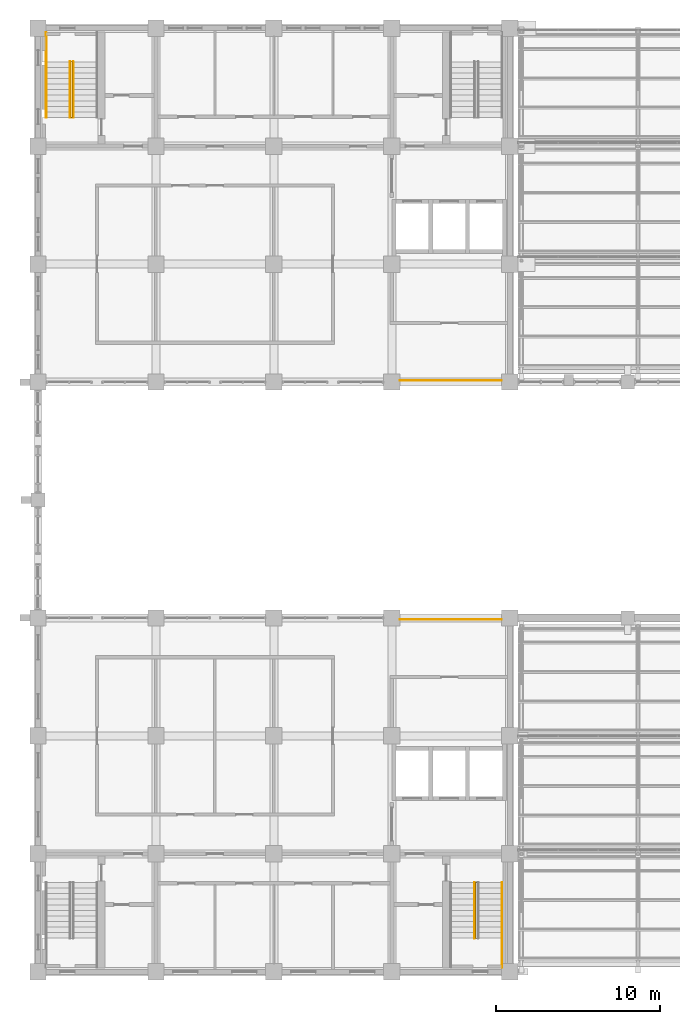
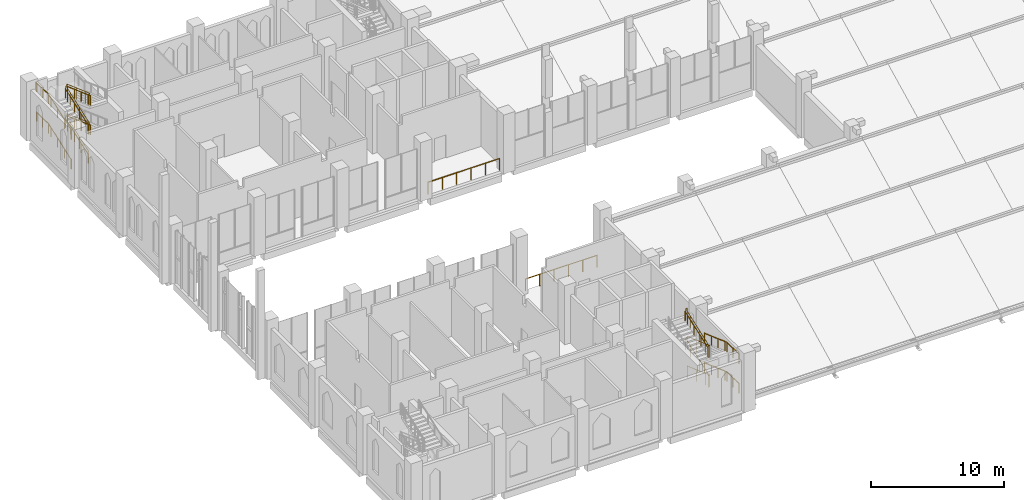
# One storey, part 80 of 83: 13 railings.
"""IFC4 building model written with IfcOpenShell, lengths in metres."""

from ifc_helpers import new_model, si_unit, direction, frame, origin, origin_2d, place, context, subcontext, project, spatial, circle, extrude, material, type_object, element, save


model = new_model("IFC4")

# Units and contexts
model_context = context("Model", 3, precision=1e-05, world=origin(), true_north=direction((0.0, 1.0)))
body_context = subcontext(model_context, "Body", "Model", "MODEL_VIEW")
ifc_project = project(units=[si_unit("LENGTHUNIT", "METRE"), si_unit("AREAUNIT", "SQUARE_METRE"), si_unit("VOLUMEUNIT", "CUBIC_METRE"), si_unit("PLANEANGLEUNIT", "RADIAN"), si_unit("MASSUNIT", "GRAM", prefix="KILO")], contexts=[model_context])

# Site, building, storey
site_placement = place(None, origin())
site = spatial("IfcSite", under=ifc_project, at=site_placement, CompositionType="ELEMENT")
building_placement = place(site_placement, origin())
building = spatial("IfcBuilding", under=site, at=building_placement, Name="Silangan Lancet Faculty of Sciences", CompositionType="ELEMENT")
storey_placement = place(building_placement, frame((0.0, 0.0, 11.39990234375)))
storey = spatial("IfcBuildingStorey", under=building, at=storey_placement, Name="L02", CompositionType="ELEMENT", Elevation=11.39990234375)

# Railings
ifc_material_1 = material(Name="Steel balustrade", Category="steel")
railing_type_1 = type_object("IfcRailingType", Name="ATRIUM GUARD 1100", PredefinedType="GUARDRAIL", material=ifc_material_1)
for number, where, name in (
    (1, (22.10009765625, 21.5, 0.0), "GUARD-ATR-L02-S3"),
    (2, (22.10009765625, 36.10009765625, 0.0), "GUARD-ATR-L02-N4"),
):
    element("IfcRailing", number, at=place(storey_placement, frame(where)), inside=storey, type_object=railing_type_1, Name=name, PredefinedType="GUARDRAIL", context=body_context, shape_type="SweptSolid", body=[
        extrude(circle(Radius=0.02392578125, at=origin_2d()), frame((0.0, 0.0, 1.076171875), z_axis=(1.0, 0.0, 0.0), x_axis=(0.0, 1.0, 0.0)), (0.0, 0.0, 1.0), 6.199951171875),
        extrude(circle(Radius=0.02099609375, at=origin_2d()), origin(), (0.0, 0.0, 1.0), 1.052001953125),
        extrude(circle(Radius=0.02099609375, at=origin_2d()), frame((1.239990234375, 0.0, 0.0)), (0.0, 0.0, 1.0), 1.052001953125),
        extrude(circle(Radius=0.02099609375, at=origin_2d()), frame((2.47998046875, 0.0, 0.0)), (0.0, 0.0, 1.0), 1.052001953125),
        extrude(circle(Radius=0.02099609375, at=origin_2d()), frame((3.719970703125, 0.0, 0.0)), (0.0, 0.0, 1.0), 1.052001953125),
        extrude(circle(Radius=0.02099609375, at=origin_2d()), frame((4.9599609375, 0.0, 0.0)), (0.0, 0.0, 1.0), 1.052001953125),
        extrude(circle(Radius=0.02099609375, at=origin_2d()), frame((6.199951171875, 0.0, 0.0)), (0.0, 0.0, 1.0), 1.052001953125),
    ])
ifc_material_2 = material(Name="Steel balustrade", Category="steel")
railing_type_2 = type_object("IfcRailingType", Name="STAIR GUARD 1100", PredefinedType="GUARDRAIL", material=ifc_material_2)
railing_1_placement = place(storey_placement, frame((2.0, 52.14990234375, 0.122802734375)))
element("IfcRailing", 3, at=railing_1_placement, inside=storey, type_object=railing_type_2, Name="GUARD-NT-A-L02", PredefinedType="GUARDRAIL", context=body_context, shape_type="SweptSolid", body=[
    extrude(circle(Radius=0.02392578125, at=origin_2d()), frame((0.0, 0.0, 1.076171875), z_axis=(0.0, 0.940621302891, 0.339457750756), x_axis=(-1.0, 0.0, 0.0)), (0.0, 0.0, 1.0), 2.891845703125),
    extrude(circle(Radius=0.02392578125, at=origin_2d()), frame((0.0, 2.72021484375, 2.0576171875), z_axis=(0.0, 0.940520931127, 0.339735747474), x_axis=(-1.0, 0.0, 0.0)), (0.0, 0.0, 1.0), 0.722900390625),
    extrude(circle(Radius=0.02392578125, at=origin_2d()), frame((0.0, 3.400146484375, 2.30322265625), z_axis=(1.0, 0.0, 0.0), x_axis=(0.0, 1.0, 0.0)), (0.0, 0.0, 1.0), 0.10009765625),
    extrude(circle(Radius=0.02392578125, at=origin_2d()), frame((0.10009765625, 3.400146484375, 2.30322265625), z_axis=(0.0, 0.0, 1.0), x_axis=(1.0, 0.0, 0.0)), (0.0, 0.0, 1.0), 0.122802734375),
    extrude(circle(Radius=0.02392578125, at=origin_2d()), frame((0.10009765625, 3.400146484375, 2.42626953125), z_axis=(0.0, -0.940611573742, 0.339484708555), x_axis=(1.0, 0.0, 0.0)), (0.0, 0.0, 1.0), 2.8916015625),
    extrude(circle(Radius=0.02392578125, at=origin_2d()), frame((0.10009765625, 0.68017578125, 3.40771484375), z_axis=(0.0, -0.940559891121, 0.339627871668), x_axis=(1.0, 0.0, 0.0)), (0.0, 0.0, 1.0), 0.72314453125),
    extrude(circle(Radius=0.02392578125, at=origin_2d()), frame((0.10009765625, 0.0, 3.6533203125), z_axis=(-1.0, 0.0, 0.0), x_axis=(0.0, -1.0, 0.0)), (0.0, 0.0, 1.0), 0.10009765625),
    extrude(circle(Radius=0.02392578125, at=origin_2d()), frame((0.0, 0.0, 3.6533203125), z_axis=(0.0, 0.0, 1.0), x_axis=(1.0, 0.0, 0.0)), (0.0, 0.0, 1.0), 0.12255859375),
    extrude(circle(Radius=0.02392578125, at=origin_2d()), frame((0.0, 0.0, 3.77587890625), z_axis=(0.0, 0.9405943449, 0.339532440781), x_axis=(-1.0, 0.0, 0.0)), (0.0, 0.0, 1.0), 2.89208984375),
    extrude(circle(Radius=0.02392578125, at=origin_2d()), frame((0.0, 2.72021484375, 4.7578125), z_axis=(0.0, 0.940628803885, 0.339436965136), x_axis=(-1.0, 0.0, 0.0)), (0.0, 0.0, 1.0), 0.722900390625),
    extrude(circle(Radius=0.02392578125, at=origin_2d()), frame((0.0, 3.400146484375, 5.00341796875), z_axis=(1.0, 0.0, 0.0), x_axis=(0.0, 1.0, 0.0)), (0.0, 0.0, 1.0), 0.10009765625),
    extrude(circle(Radius=0.02392578125, at=origin_2d()), frame((0.10009765625, 3.400146484375, 5.00341796875), z_axis=(0.0, 0.0, 1.0), x_axis=(1.0, 0.0, 0.0)), (0.0, 0.0, 1.0), 0.122802734375),
    extrude(circle(Radius=0.02392578125, at=origin_2d()), frame((0.10009765625, 3.400146484375, 5.1259765625), z_axis=(0.0, -0.940611573742, 0.339484708555), x_axis=(1.0, 0.0, 0.0)), (0.0, 0.0, 1.0), 2.8916015625),
    extrude(circle(Radius=0.02392578125, at=origin_2d()), frame((0.10009765625, 0.68017578125, 6.10791015625), z_axis=(0.0, -0.940559891121, 0.339627871668), x_axis=(1.0, 0.0, 0.0)), (0.0, 0.0, 1.0), 0.72314453125),
    extrude(circle(Radius=0.02392578125, at=origin_2d()), frame((0.10009765625, 0.0, 6.353515625), z_axis=(-1.0, 0.0, 0.0), x_axis=(0.0, -1.0, 0.0)), (0.0, 0.0, 1.0), 0.10009765625),
    extrude(circle(Radius=0.02099609375, at=origin_2d()), origin(), (0.0, 0.0, 1.0), 1.052001953125),
    extrude(circle(Radius=0.02099609375, at=origin_2d()), frame((0.0, 1.360107421875, 0.49072265625)), (0.0, 0.0, 1.0), 1.052001953125),
    extrude(circle(Radius=0.02099609375, at=origin_2d()), frame((0.0, 2.72021484375, 0.981689453125)), (0.0, 0.0, 1.0), 1.052001953125),
    extrude(circle(Radius=0.02099609375, at=origin_2d()), frame((0.0, 3.400146484375, 1.227294921875)), (0.0, 0.0, 1.0), 1.052001953125),
    extrude(circle(Radius=0.02099609375, at=origin_2d()), frame((0.10009765625, 3.400146484375, 1.227294921875)), (0.0, 0.0, 1.0), 1.052001953125),
    extrude(circle(Radius=0.02099609375, at=origin_2d()), frame((0.10009765625, 3.400146484375, 1.35009765625)), (0.0, 0.0, 1.0), 1.052001953125),
    extrude(circle(Radius=0.02099609375, at=origin_2d()), frame((0.10009765625, 2.0400390625, 1.8408203125)), (0.0, 0.0, 1.0), 1.052001953125),
    extrude(circle(Radius=0.02099609375, at=origin_2d()), frame((0.10009765625, 0.68017578125, 2.331787109375)), (0.0, 0.0, 1.0), 1.052001953125),
    extrude(circle(Radius=0.02099609375, at=origin_2d()), frame((0.10009765625, 0.0, 2.577392578125)), (0.0, 0.0, 1.0), 1.052001953125),
    extrude(circle(Radius=0.02099609375, at=origin_2d()), frame((0.0, 0.0, 2.577392578125)), (0.0, 0.0, 1.0), 1.052001953125),
    extrude(circle(Radius=0.02099609375, at=origin_2d()), frame((0.0, 0.0, 2.699951171875)), (0.0, 0.0, 1.0), 1.052001953125),
    extrude(circle(Radius=0.02099609375, at=origin_2d()), frame((0.0, 1.360107421875, 3.19091796875)), (0.0, 0.0, 1.0), 1.052001953125),
    extrude(circle(Radius=0.02099609375, at=origin_2d()), frame((0.0, 2.72021484375, 3.681884765625)), (0.0, 0.0, 1.0), 1.052001953125),
    extrude(circle(Radius=0.02099609375, at=origin_2d()), frame((0.0, 3.400146484375, 3.92724609375)), (0.0, 0.0, 1.0), 1.052001953125),
    extrude(circle(Radius=0.02099609375, at=origin_2d()), frame((0.10009765625, 3.400146484375, 3.92724609375)), (0.0, 0.0, 1.0), 1.052001953125),
    extrude(circle(Radius=0.02099609375, at=origin_2d()), frame((0.10009765625, 3.400146484375, 4.050048828125)), (0.0, 0.0, 1.0), 1.052001953125),
    extrude(circle(Radius=0.02099609375, at=origin_2d()), frame((0.10009765625, 2.0400390625, 4.541015625)), (0.0, 0.0, 1.0), 1.052001953125),
    extrude(circle(Radius=0.02099609375, at=origin_2d()), frame((0.10009765625, 0.68017578125, 5.03173828125)), (0.0, 0.0, 1.0), 1.052001953125),
    extrude(circle(Radius=0.02099609375, at=origin_2d()), frame((0.10009765625, 0.0, 5.27734375)), (0.0, 0.0, 1.0), 1.052001953125),
    extrude(circle(Radius=0.02099609375, at=origin_2d()), frame((0.0, 0.0, 5.27734375)), (0.0, 0.0, 1.0), 1.052001953125),
])
railing_2_placement = place(storey_placement, frame((26.824951171875, 5.449951171875, 0.122802734375)))
element("IfcRailing", 4, at=railing_2_placement, inside=storey, type_object=railing_type_2, Name="GUARD-ST-B-L02", PredefinedType="GUARDRAIL", context=body_context, shape_type="SweptSolid", body=[
    extrude(circle(Radius=0.02392578125, at=origin_2d()), frame((0.0, 0.0, 1.076171875), z_axis=(0.0, -0.940611573742, 0.339484708555), x_axis=(1.0, 0.0, 0.0)), (0.0, 0.0, 1.0), 2.8916015625),
    extrude(circle(Radius=0.02392578125, at=origin_2d()), frame((0.0, -2.719970703125, 2.0576171875), z_axis=(0.0, -0.940520931127, 0.339735747474), x_axis=(1.0, 0.0, 0.0)), (0.0, 0.0, 1.0), 0.722900390625),
    extrude(circle(Radius=0.02392578125, at=origin_2d()), frame((0.0, -3.39990234375, 2.30322265625), z_axis=(-1.0, 0.0, 0.0), x_axis=(0.0, -1.0, 0.0)), (0.0, 0.0, 1.0), 0.125),
    extrude(circle(Radius=0.02392578125, at=origin_2d()), frame((-0.125, -3.39990234375, 2.30322265625), z_axis=(0.0, 0.0, 1.0), x_axis=(1.0, 0.0, 0.0)), (0.0, 0.0, 1.0), 0.122802734375),
    extrude(circle(Radius=0.02392578125, at=origin_2d()), frame((-0.125, -3.39990234375, 2.42626953125), z_axis=(0.0, 0.940611573742, 0.339484708555), x_axis=(-1.0, 0.0, 0.0)), (0.0, 0.0, 1.0), 2.8916015625),
    extrude(circle(Radius=0.02392578125, at=origin_2d()), frame((-0.125, -0.679931640625, 3.40771484375), z_axis=(0.0, 0.940520931127, 0.339735747474), x_axis=(-1.0, 0.0, 0.0)), (0.0, 0.0, 1.0), 0.722900390625),
    extrude(circle(Radius=0.02392578125, at=origin_2d()), frame((-0.125, 0.0, 3.6533203125), z_axis=(1.0, 0.0, 0.0), x_axis=(0.0, 1.0, 0.0)), (0.0, 0.0, 1.0), 0.125),
    extrude(circle(Radius=0.02392578125, at=origin_2d()), frame((0.0, 0.0, 3.6533203125), z_axis=(0.0, 0.0, 1.0), x_axis=(1.0, 0.0, 0.0)), (0.0, 0.0, 1.0), 0.12255859375),
    extrude(circle(Radius=0.02392578125, at=origin_2d()), frame((0.0, 0.0, 3.77587890625), z_axis=(0.0, -0.940584611748, 0.339559402967), x_axis=(1.0, 0.0, 0.0)), (0.0, 0.0, 1.0), 2.891845703125),
    extrude(circle(Radius=0.02392578125, at=origin_2d()), frame((0.0, -2.719970703125, 4.7578125), z_axis=(0.0, -0.940628803885, 0.339436965136), x_axis=(1.0, 0.0, 0.0)), (0.0, 0.0, 1.0), 0.722900390625),
    extrude(circle(Radius=0.02392578125, at=origin_2d()), frame((0.0, -3.39990234375, 5.00341796875), z_axis=(-1.0, 0.0, 0.0), x_axis=(0.0, -1.0, 0.0)), (0.0, 0.0, 1.0), 0.125),
    extrude(circle(Radius=0.02392578125, at=origin_2d()), frame((-0.125, -3.39990234375, 5.00341796875), z_axis=(0.0, 0.0, 1.0), x_axis=(1.0, 0.0, 0.0)), (0.0, 0.0, 1.0), 0.122802734375),
    extrude(circle(Radius=0.02392578125, at=origin_2d()), frame((-0.125, -3.39990234375, 5.1259765625), z_axis=(0.0, 0.940611573742, 0.339484708555), x_axis=(-1.0, 0.0, 0.0)), (0.0, 0.0, 1.0), 2.8916015625),
    extrude(circle(Radius=0.02392578125, at=origin_2d()), frame((-0.125, -0.679931640625, 6.10791015625), z_axis=(0.0, 0.940520931127, 0.339735747474), x_axis=(-1.0, 0.0, 0.0)), (0.0, 0.0, 1.0), 0.722900390625),
    extrude(circle(Radius=0.02392578125, at=origin_2d()), frame((-0.125, 0.0, 6.353515625), z_axis=(1.0, 0.0, 0.0), x_axis=(0.0, 1.0, 0.0)), (0.0, 0.0, 1.0), 0.125),
    extrude(circle(Radius=0.02099609375, at=origin_2d()), origin(), (0.0, 0.0, 1.0), 1.052001953125),
    extrude(circle(Radius=0.02099609375, at=origin_2d()), frame((0.0, -1.35986328125, 0.49072265625)), (0.0, 0.0, 1.0), 1.052001953125),
    extrude(circle(Radius=0.02099609375, at=origin_2d()), frame((0.0, -2.719970703125, 0.981689453125)), (0.0, 0.0, 1.0), 1.052001953125),
    extrude(circle(Radius=0.02099609375, at=origin_2d()), frame((0.0, -3.39990234375, 1.227294921875)), (0.0, 0.0, 1.0), 1.052001953125),
    extrude(circle(Radius=0.02099609375, at=origin_2d()), frame((-0.125, -3.39990234375, 1.227294921875)), (0.0, 0.0, 1.0), 1.052001953125),
    extrude(circle(Radius=0.02099609375, at=origin_2d()), frame((-0.125, -3.39990234375, 1.35009765625)), (0.0, 0.0, 1.0), 1.052001953125),
    extrude(circle(Radius=0.02099609375, at=origin_2d()), frame((-0.125, -2.0400390625, 1.8408203125)), (0.0, 0.0, 1.0), 1.052001953125),
    extrude(circle(Radius=0.02099609375, at=origin_2d()), frame((-0.125, -0.679931640625, 2.331787109375)), (0.0, 0.0, 1.0), 1.052001953125),
    extrude(circle(Radius=0.02099609375, at=origin_2d()), frame((-0.125, 0.0, 2.577392578125)), (0.0, 0.0, 1.0), 1.052001953125),
    extrude(circle(Radius=0.02099609375, at=origin_2d()), frame((0.0, 0.0, 2.577392578125)), (0.0, 0.0, 1.0), 1.052001953125),
    extrude(circle(Radius=0.02099609375, at=origin_2d()), frame((0.0, 0.0, 2.699951171875)), (0.0, 0.0, 1.0), 1.052001953125),
    extrude(circle(Radius=0.02099609375, at=origin_2d()), frame((0.0, -1.35986328125, 3.19091796875)), (0.0, 0.0, 1.0), 1.052001953125),
    extrude(circle(Radius=0.02099609375, at=origin_2d()), frame((0.0, -2.719970703125, 3.681884765625)), (0.0, 0.0, 1.0), 1.052001953125),
    extrude(circle(Radius=0.02099609375, at=origin_2d()), frame((0.0, -3.39990234375, 3.92724609375)), (0.0, 0.0, 1.0), 1.052001953125),
    extrude(circle(Radius=0.02099609375, at=origin_2d()), frame((-0.125, -3.39990234375, 3.92724609375)), (0.0, 0.0, 1.0), 1.052001953125),
    extrude(circle(Radius=0.02099609375, at=origin_2d()), frame((-0.125, -3.39990234375, 4.050048828125)), (0.0, 0.0, 1.0), 1.052001953125),
    extrude(circle(Radius=0.02099609375, at=origin_2d()), frame((-0.125, -2.0400390625, 4.541015625)), (0.0, 0.0, 1.0), 1.052001953125),
    extrude(circle(Radius=0.02099609375, at=origin_2d()), frame((-0.125, -0.679931640625, 5.03173828125)), (0.0, 0.0, 1.0), 1.052001953125),
    extrude(circle(Radius=0.02099609375, at=origin_2d()), frame((-0.125, 0.0, 5.27734375)), (0.0, 0.0, 1.0), 1.052001953125),
    extrude(circle(Radius=0.02099609375, at=origin_2d()), frame((0.0, 0.0, 5.27734375)), (0.0, 0.0, 1.0), 1.052001953125),
])
ifc_material_3 = material(Name="Stainless steel", Category="steel")
railing_type_3 = type_object("IfcRailingType", Name="STAIR HANDRAIL 865", PredefinedType="HANDRAIL", material=ifc_material_3)
railing_3_placement = place(storey_placement, frame((0.5, 52.14990234375, 0.122802734375)))
element("IfcRailing", 5, at=railing_3_placement, inside=storey, type_object=railing_type_3, Name="HANDRAIL-NT-A-L02-O1", PredefinedType="HANDRAIL", context=body_context, shape_type="SweptSolid", body=[
    extrude(circle(Radius=0.02392578125, at=origin_2d()), frame((0.0, 0.0, 0.8408203125), z_axis=(0.0, 0.94060583065, 0.339500620541), x_axis=(-1.0, 0.0, 0.0)), (0.0, 0.0, 1.0), 1.08447265625),
    extrude(circle(Radius=0.02392578125, at=origin_2d()), frame((0.0, 1.02001953125, 1.208984375), z_axis=(0.0, 0.94060583065, 0.339500620541), x_axis=(-1.0, 0.0, 0.0)), (0.0, 0.0, 1.0), 1.08447265625),
    extrude(circle(Radius=0.02392578125, at=origin_2d()), frame((0.0, 2.0400390625, 1.5771484375), z_axis=(0.0, 0.94060583065, 0.339500620541), x_axis=(-1.0, 0.0, 0.0)), (0.0, 0.0, 1.0), 1.08447265625),
    extrude(circle(Radius=0.02392578125, at=origin_2d()), frame((0.0, 3.06005859375, 1.9453125), z_axis=(0.0, 0.940559891121, 0.339627871668), x_axis=(-1.0, 0.0, 0.0)), (0.0, 0.0, 1.0), 0.361572265625),
    extrude(circle(Radius=0.02392578125, at=origin_2d()), frame((0.0, 3.400146484375, 2.068359375), z_axis=(0.0, 1.0, 0.0), x_axis=(-1.0, 0.0, 0.0)), (0.0, 0.0, 1.0), 1.77490234375),
    extrude(circle(Radius=0.02099609375, at=origin_2d()), origin(), (0.0, 0.0, 1.0), 0.81689453125),
    extrude(circle(Radius=0.02099609375, at=origin_2d()), frame((0.0, 1.02001953125, 0.3681640625)), (0.0, 0.0, 1.0), 0.81689453125),
    extrude(circle(Radius=0.02099609375, at=origin_2d()), frame((0.0, 2.0400390625, 0.736328125)), (0.0, 0.0, 1.0), 0.81689453125),
    extrude(circle(Radius=0.02099609375, at=origin_2d()), frame((0.0, 3.06005859375, 1.1044921875)), (0.0, 0.0, 1.0), 0.81689453125),
    extrude(circle(Radius=0.02099609375, at=origin_2d()), frame((0.0, 3.400146484375, 1.227294921875)), (0.0, 0.0, 1.0), 0.81689453125),
    extrude(circle(Radius=0.02099609375, at=origin_2d()), frame((0.0, 4.28759765625, 1.227294921875)), (0.0, 0.0, 1.0), 0.81689453125),
    extrude(circle(Radius=0.02099609375, at=origin_2d()), frame((0.0, 5.175048828125, 1.227294921875)), (0.0, 0.0, 1.0), 0.81689453125),
])
railing_4_placement = place(storey_placement, frame((1.949951171875, 52.14990234375, 0.122802734375)))
element("IfcRailing", 6, at=railing_4_placement, inside=storey, type_object=railing_type_3, Name="HANDRAIL-NT-A-L02-I1", PredefinedType="HANDRAIL", context=body_context, shape_type="SweptSolid", body=[
    extrude(circle(Radius=0.02392578125, at=origin_2d()), frame((0.0, 0.0, 0.8408203125), z_axis=(0.0, 0.94060583065, 0.339500620541), x_axis=(-1.0, 0.0, 0.0)), (0.0, 0.0, 1.0), 1.08447265625),
    extrude(circle(Radius=0.02392578125, at=origin_2d()), frame((0.0, 1.02001953125, 1.208984375), z_axis=(0.0, 0.94060583065, 0.339500620541), x_axis=(-1.0, 0.0, 0.0)), (0.0, 0.0, 1.0), 1.08447265625),
    extrude(circle(Radius=0.02392578125, at=origin_2d()), frame((0.0, 2.0400390625, 1.5771484375), z_axis=(0.0, 0.94060583065, 0.339500620541), x_axis=(-1.0, 0.0, 0.0)), (0.0, 0.0, 1.0), 1.08447265625),
    extrude(circle(Radius=0.02392578125, at=origin_2d()), frame((0.0, 3.06005859375, 1.9453125), z_axis=(0.0, 0.940559891121, 0.339627871668), x_axis=(-1.0, 0.0, 0.0)), (0.0, 0.0, 1.0), 0.361572265625),
    extrude(circle(Radius=0.02099609375, at=origin_2d()), origin(), (0.0, 0.0, 1.0), 0.81689453125),
    extrude(circle(Radius=0.02099609375, at=origin_2d()), frame((0.0, 1.02001953125, 0.3681640625)), (0.0, 0.0, 1.0), 0.81689453125),
    extrude(circle(Radius=0.02099609375, at=origin_2d()), frame((0.0, 2.0400390625, 0.736328125)), (0.0, 0.0, 1.0), 0.81689453125),
    extrude(circle(Radius=0.02099609375, at=origin_2d()), frame((0.0, 3.06005859375, 1.1044921875)), (0.0, 0.0, 1.0), 0.81689453125),
    extrude(circle(Radius=0.02099609375, at=origin_2d()), frame((0.0, 3.400146484375, 1.227294921875)), (0.0, 0.0, 1.0), 0.81689453125),
])
railing_5_placement = place(storey_placement, frame((2.14990234375, 55.550048828125, 1.472900390625)))
element("IfcRailing", 7, at=railing_5_placement, inside=storey, type_object=railing_type_3, Name="HANDRAIL-NT-A-L02-I2", PredefinedType="HANDRAIL", context=body_context, shape_type="SweptSolid", body=[
    extrude(circle(Radius=0.02392578125, at=origin_2d()), frame((0.0, 0.0, 0.8408203125), z_axis=(0.0, -0.94060583065, 0.339500620541), x_axis=(1.0, 0.0, 0.0)), (0.0, 0.0, 1.0), 1.08447265625),
    extrude(circle(Radius=0.02392578125, at=origin_2d()), frame((0.0, -1.02001953125, 1.208984375), z_axis=(0.0, -0.94060583065, 0.339500620541), x_axis=(1.0, 0.0, 0.0)), (0.0, 0.0, 1.0), 1.08447265625),
    extrude(circle(Radius=0.02392578125, at=origin_2d()), frame((0.0, -2.0400390625, 1.5771484375), z_axis=(0.0, -0.94060583065, 0.339500620541), x_axis=(1.0, 0.0, 0.0)), (0.0, 0.0, 1.0), 1.08447265625),
    extrude(circle(Radius=0.02392578125, at=origin_2d()), frame((0.0, -3.06005859375, 1.9453125), z_axis=(0.0, -0.940559891121, 0.339627871668), x_axis=(1.0, 0.0, 0.0)), (0.0, 0.0, 1.0), 0.361572265625),
    extrude(circle(Radius=0.02099609375, at=origin_2d()), origin(), (0.0, 0.0, 1.0), 0.81689453125),
    extrude(circle(Radius=0.02099609375, at=origin_2d()), frame((0.0, -1.02001953125, 0.3681640625)), (0.0, 0.0, 1.0), 0.81689453125),
    extrude(circle(Radius=0.02099609375, at=origin_2d()), frame((0.0, -2.0400390625, 0.736328125)), (0.0, 0.0, 1.0), 0.81689453125),
    extrude(circle(Radius=0.02099609375, at=origin_2d()), frame((0.0, -3.06005859375, 1.1044921875)), (0.0, 0.0, 1.0), 0.81689453125),
    extrude(circle(Radius=0.02099609375, at=origin_2d()), frame((0.0, -3.400146484375, 1.227294921875)), (0.0, 0.0, 1.0), 0.81689453125),
])
railing_6_placement = place(storey_placement, frame((0.5, 52.14990234375, 2.82275390625)))
element("IfcRailing", 8, at=railing_6_placement, inside=storey, type_object=railing_type_3, Name="HANDRAIL-NT-A-L02-O3", PredefinedType="HANDRAIL", context=body_context, shape_type="SweptSolid", body=[
    extrude(circle(Radius=0.02392578125, at=origin_2d()), frame((0.0, 0.0, 0.8408203125), z_axis=(0.0, 0.94060583065, 0.339500620541), x_axis=(-1.0, 0.0, 0.0)), (0.0, 0.0, 1.0), 1.08447265625),
    extrude(circle(Radius=0.02392578125, at=origin_2d()), frame((0.0, 1.02001953125, 1.208984375), z_axis=(0.0, 0.94060583065, 0.339500620541), x_axis=(-1.0, 0.0, 0.0)), (0.0, 0.0, 1.0), 1.08447265625),
    extrude(circle(Radius=0.02392578125, at=origin_2d()), frame((0.0, 2.0400390625, 1.5771484375), z_axis=(0.0, 0.940533921917, 0.339699781755), x_axis=(-1.0, 0.0, 0.0)), (0.0, 0.0, 1.0), 1.08447265625),
    extrude(circle(Radius=0.02392578125, at=origin_2d()), frame((0.0, 3.06005859375, 1.94580078125), z_axis=(0.0, 0.940775438362, 0.339030344622), x_axis=(-1.0, 0.0, 0.0)), (0.0, 0.0, 1.0), 0.361572265625),
    extrude(circle(Radius=0.02392578125, at=origin_2d()), frame((0.0, 3.400146484375, 2.068359375), z_axis=(0.0, 1.0, 0.0), x_axis=(-1.0, 0.0, 0.0)), (0.0, 0.0, 1.0), 1.77490234375),
    extrude(circle(Radius=0.02099609375, at=origin_2d()), origin(), (0.0, 0.0, 1.0), 0.81689453125),
    extrude(circle(Radius=0.02099609375, at=origin_2d()), frame((0.0, 1.02001953125, 0.3681640625)), (0.0, 0.0, 1.0), 0.81689453125),
    extrude(circle(Radius=0.02099609375, at=origin_2d()), frame((0.0, 2.0400390625, 0.736328125)), (0.0, 0.0, 1.0), 0.81689453125),
    extrude(circle(Radius=0.02099609375, at=origin_2d()), frame((0.0, 3.06005859375, 1.104736328125)), (0.0, 0.0, 1.0), 0.81689453125),
    extrude(circle(Radius=0.02099609375, at=origin_2d()), frame((0.0, 3.400146484375, 1.227294921875)), (0.0, 0.0, 1.0), 0.81689453125),
    extrude(circle(Radius=0.02099609375, at=origin_2d()), frame((0.0, 4.28759765625, 1.227294921875)), (0.0, 0.0, 1.0), 0.81689453125),
    extrude(circle(Radius=0.02099609375, at=origin_2d()), frame((0.0, 5.175048828125, 1.227294921875)), (0.0, 0.0, 1.0), 0.81689453125),
])
railing_7_placement = place(storey_placement, frame((1.949951171875, 52.14990234375, 2.82275390625)))
element("IfcRailing", 9, at=railing_7_placement, inside=storey, type_object=railing_type_3, Name="HANDRAIL-NT-A-L02-I3", PredefinedType="HANDRAIL", context=body_context, shape_type="SweptSolid", body=[
    extrude(circle(Radius=0.02392578125, at=origin_2d()), frame((0.0, 0.0, 0.8408203125), z_axis=(0.0, 0.94060583065, 0.339500620541), x_axis=(-1.0, 0.0, 0.0)), (0.0, 0.0, 1.0), 1.08447265625),
    extrude(circle(Radius=0.02392578125, at=origin_2d()), frame((0.0, 1.02001953125, 1.208984375), z_axis=(0.0, 0.94060583065, 0.339500620541), x_axis=(-1.0, 0.0, 0.0)), (0.0, 0.0, 1.0), 1.08447265625),
    extrude(circle(Radius=0.02392578125, at=origin_2d()), frame((0.0, 2.0400390625, 1.5771484375), z_axis=(0.0, 0.940533921917, 0.339699781755), x_axis=(-1.0, 0.0, 0.0)), (0.0, 0.0, 1.0), 1.08447265625),
    extrude(circle(Radius=0.02392578125, at=origin_2d()), frame((0.0, 3.06005859375, 1.94580078125), z_axis=(0.0, 0.940775438362, 0.339030344622), x_axis=(-1.0, 0.0, 0.0)), (0.0, 0.0, 1.0), 0.361572265625),
    extrude(circle(Radius=0.02099609375, at=origin_2d()), origin(), (0.0, 0.0, 1.0), 0.81689453125),
    extrude(circle(Radius=0.02099609375, at=origin_2d()), frame((0.0, 1.02001953125, 0.3681640625)), (0.0, 0.0, 1.0), 0.81689453125),
    extrude(circle(Radius=0.02099609375, at=origin_2d()), frame((0.0, 2.0400390625, 0.736328125)), (0.0, 0.0, 1.0), 0.81689453125),
    extrude(circle(Radius=0.02099609375, at=origin_2d()), frame((0.0, 3.06005859375, 1.104736328125)), (0.0, 0.0, 1.0), 0.81689453125),
    extrude(circle(Radius=0.02099609375, at=origin_2d()), frame((0.0, 3.400146484375, 1.227294921875)), (0.0, 0.0, 1.0), 0.81689453125),
])
railing_8_placement = place(storey_placement, frame((2.14990234375, 55.550048828125, 4.1728515625)))
element("IfcRailing", 10, at=railing_8_placement, inside=storey, type_object=railing_type_3, Name="HANDRAIL-NT-A-L02-I4", PredefinedType="HANDRAIL", context=body_context, shape_type="SweptSolid", body=[
    extrude(circle(Radius=0.02392578125, at=origin_2d()), frame((0.0, 0.0, 0.8408203125), z_axis=(0.0, -0.94060583065, 0.339500620541), x_axis=(1.0, 0.0, 0.0)), (0.0, 0.0, 1.0), 1.08447265625),
    extrude(circle(Radius=0.02392578125, at=origin_2d()), frame((0.0, -1.02001953125, 1.208984375), z_axis=(0.0, -0.94060583065, 0.339500620541), x_axis=(1.0, 0.0, 0.0)), (0.0, 0.0, 1.0), 1.08447265625),
    extrude(circle(Radius=0.02392578125, at=origin_2d()), frame((0.0, -2.0400390625, 1.5771484375), z_axis=(0.0, -0.94060583065, 0.339500620541), x_axis=(1.0, 0.0, 0.0)), (0.0, 0.0, 1.0), 1.08447265625),
    extrude(circle(Radius=0.02392578125, at=origin_2d()), frame((0.0, -3.06005859375, 1.9453125), z_axis=(0.0, -0.940559891121, 0.339627871668), x_axis=(1.0, 0.0, 0.0)), (0.0, 0.0, 1.0), 0.361572265625),
    extrude(circle(Radius=0.02099609375, at=origin_2d()), origin(), (0.0, 0.0, 1.0), 0.81689453125),
    extrude(circle(Radius=0.02099609375, at=origin_2d()), frame((0.0, -1.02001953125, 0.3681640625)), (0.0, 0.0, 1.0), 0.81689453125),
    extrude(circle(Radius=0.02099609375, at=origin_2d()), frame((0.0, -2.0400390625, 0.736328125)), (0.0, 0.0, 1.0), 0.81689453125),
    extrude(circle(Radius=0.02099609375, at=origin_2d()), frame((0.0, -3.06005859375, 1.1044921875)), (0.0, 0.0, 1.0), 0.81689453125),
    extrude(circle(Radius=0.02099609375, at=origin_2d()), frame((0.0, -3.400146484375, 1.227294921875)), (0.0, 0.0, 1.0), 0.81689453125),
])
railing_9_placement = place(storey_placement, frame((28.324951171875, 5.449951171875, 0.122802734375)))
element("IfcRailing", 11, at=railing_9_placement, inside=storey, type_object=railing_type_3, Name="HANDRAIL-ST-B-L02-O1", PredefinedType="HANDRAIL", context=body_context, shape_type="SweptSolid", body=[
    extrude(circle(Radius=0.02392578125, at=origin_2d()), frame((0.0, 0.0, 0.8408203125), z_axis=(0.0, -0.94060583065, 0.339500620541), x_axis=(1.0, 0.0, 0.0)), (0.0, 0.0, 1.0), 1.08447265625),
    extrude(circle(Radius=0.02392578125, at=origin_2d()), frame((0.0, -1.02001953125, 1.208984375), z_axis=(0.0, -0.94060583065, 0.339500620541), x_axis=(1.0, 0.0, 0.0)), (0.0, 0.0, 1.0), 1.08447265625),
    extrude(circle(Radius=0.02392578125, at=origin_2d()), frame((0.0, -2.0400390625, 1.5771484375), z_axis=(0.0, -0.94060583065, 0.339500620541), x_axis=(1.0, 0.0, 0.0)), (0.0, 0.0, 1.0), 1.08447265625),
    extrude(circle(Radius=0.02392578125, at=origin_2d()), frame((0.0, -3.06005859375, 1.9453125), z_axis=(0.0, -0.940481933992, 0.339843687355), x_axis=(1.0, 0.0, 0.0)), (0.0, 0.0, 1.0), 0.361328125),
    extrude(circle(Radius=0.02392578125, at=origin_2d()), frame((0.0, -3.39990234375, 2.068359375), z_axis=(0.0, -1.0, 0.0), x_axis=(1.0, 0.0, 0.0)), (0.0, 0.0, 1.0), 1.775146484375),
    extrude(circle(Radius=0.02099609375, at=origin_2d()), origin(), (0.0, 0.0, 1.0), 0.81689453125),
    extrude(circle(Radius=0.02099609375, at=origin_2d()), frame((0.0, -1.02001953125, 0.3681640625)), (0.0, 0.0, 1.0), 0.81689453125),
    extrude(circle(Radius=0.02099609375, at=origin_2d()), frame((0.0, -2.0400390625, 0.736328125)), (0.0, 0.0, 1.0), 0.81689453125),
    extrude(circle(Radius=0.02099609375, at=origin_2d()), frame((0.0, -3.06005859375, 1.1044921875)), (0.0, 0.0, 1.0), 0.81689453125),
    extrude(circle(Radius=0.02099609375, at=origin_2d()), frame((0.0, -3.39990234375, 1.227294921875)), (0.0, 0.0, 1.0), 0.81689453125),
    extrude(circle(Radius=0.02099609375, at=origin_2d()), frame((0.0, -4.28759765625, 1.227294921875)), (0.0, 0.0, 1.0), 0.81689453125),
    extrude(circle(Radius=0.02099609375, at=origin_2d()), frame((0.0, -5.175048828125, 1.227294921875)), (0.0, 0.0, 1.0), 0.81689453125),
])
railing_10_placement = place(storey_placement, frame((28.324951171875, 5.449951171875, 2.82275390625)))
element("IfcRailing", 12, at=railing_10_placement, inside=storey, type_object=railing_type_3, Name="HANDRAIL-ST-B-L02-O3", PredefinedType="HANDRAIL", context=body_context, shape_type="SweptSolid", body=[
    extrude(circle(Radius=0.02392578125, at=origin_2d()), frame((0.0, 0.0, 0.8408203125), z_axis=(0.0, -0.94060583065, 0.339500620541), x_axis=(1.0, 0.0, 0.0)), (0.0, 0.0, 1.0), 1.08447265625),
    extrude(circle(Radius=0.02392578125, at=origin_2d()), frame((0.0, -1.02001953125, 1.208984375), z_axis=(0.0, -0.94060583065, 0.339500620541), x_axis=(1.0, 0.0, 0.0)), (0.0, 0.0, 1.0), 1.08447265625),
    extrude(circle(Radius=0.02392578125, at=origin_2d()), frame((0.0, -2.0400390625, 1.5771484375), z_axis=(0.0, -0.940533921917, 0.339699781755), x_axis=(1.0, 0.0, 0.0)), (0.0, 0.0, 1.0), 1.08447265625),
    extrude(circle(Radius=0.02392578125, at=origin_2d()), frame((0.0, -3.06005859375, 1.94580078125), z_axis=(0.0, -0.940697737464, 0.339245879459), x_axis=(1.0, 0.0, 0.0)), (0.0, 0.0, 1.0), 0.361328125),
    extrude(circle(Radius=0.02392578125, at=origin_2d()), frame((0.0, -3.39990234375, 2.068359375), z_axis=(0.0, -1.0, 0.0), x_axis=(1.0, 0.0, 0.0)), (0.0, 0.0, 1.0), 1.775146484375),
    extrude(circle(Radius=0.02099609375, at=origin_2d()), origin(), (0.0, 0.0, 1.0), 0.81689453125),
    extrude(circle(Radius=0.02099609375, at=origin_2d()), frame((0.0, -1.02001953125, 0.3681640625)), (0.0, 0.0, 1.0), 0.81689453125),
    extrude(circle(Radius=0.02099609375, at=origin_2d()), frame((0.0, -2.0400390625, 0.736328125)), (0.0, 0.0, 1.0), 0.81689453125),
    extrude(circle(Radius=0.02099609375, at=origin_2d()), frame((0.0, -3.06005859375, 1.104736328125)), (0.0, 0.0, 1.0), 0.81689453125),
    extrude(circle(Radius=0.02099609375, at=origin_2d()), frame((0.0, -3.39990234375, 1.227294921875)), (0.0, 0.0, 1.0), 0.81689453125),
    extrude(circle(Radius=0.02099609375, at=origin_2d()), frame((0.0, -4.28759765625, 1.227294921875)), (0.0, 0.0, 1.0), 0.81689453125),
    extrude(circle(Radius=0.02099609375, at=origin_2d()), frame((0.0, -5.175048828125, 1.227294921875)), (0.0, 0.0, 1.0), 0.81689453125),
])
railing_11_placement = place(storey_placement, frame((26.64990234375, 2.050048828125, 4.1728515625)))
element("IfcRailing", 13, at=railing_11_placement, inside=storey, type_object=railing_type_3, Name="HANDRAIL-ST-B-L02-I4", PredefinedType="HANDRAIL", context=body_context, shape_type="SweptSolid", body=[
    extrude(circle(Radius=0.02392578125, at=origin_2d()), frame((0.0, 0.0, 0.8408203125), z_axis=(0.0, 0.94060583065, 0.339500620541), x_axis=(-1.0, 0.0, 0.0)), (0.0, 0.0, 1.0), 1.08447265625),
    extrude(circle(Radius=0.02392578125, at=origin_2d()), frame((0.0, 1.02001953125, 1.208984375), z_axis=(0.0, 0.94060583065, 0.339500620541), x_axis=(-1.0, 0.0, 0.0)), (0.0, 0.0, 1.0), 1.08447265625),
    extrude(circle(Radius=0.02392578125, at=origin_2d()), frame((0.0, 2.0400390625, 1.5771484375), z_axis=(0.0, 0.94060583065, 0.339500620541), x_axis=(-1.0, 0.0, 0.0)), (0.0, 0.0, 1.0), 1.08447265625),
    extrude(circle(Radius=0.02392578125, at=origin_2d()), frame((0.0, 3.06005859375, 1.9453125), z_axis=(0.0, 0.940481933992, 0.339843687355), x_axis=(-1.0, 0.0, 0.0)), (0.0, 0.0, 1.0), 0.361328125),
    extrude(circle(Radius=0.02099609375, at=origin_2d()), origin(), (0.0, 0.0, 1.0), 0.81689453125),
    extrude(circle(Radius=0.02099609375, at=origin_2d()), frame((0.0, 1.02001953125, 0.3681640625)), (0.0, 0.0, 1.0), 0.81689453125),
    extrude(circle(Radius=0.02099609375, at=origin_2d()), frame((0.0, 2.0400390625, 0.736328125)), (0.0, 0.0, 1.0), 0.81689453125),
    extrude(circle(Radius=0.02099609375, at=origin_2d()), frame((0.0, 3.06005859375, 1.1044921875)), (0.0, 0.0, 1.0), 0.81689453125),
    extrude(circle(Radius=0.02099609375, at=origin_2d()), frame((0.0, 3.39990234375, 1.227294921875)), (0.0, 0.0, 1.0), 0.81689453125),
])

save(model, "model.ifc")
